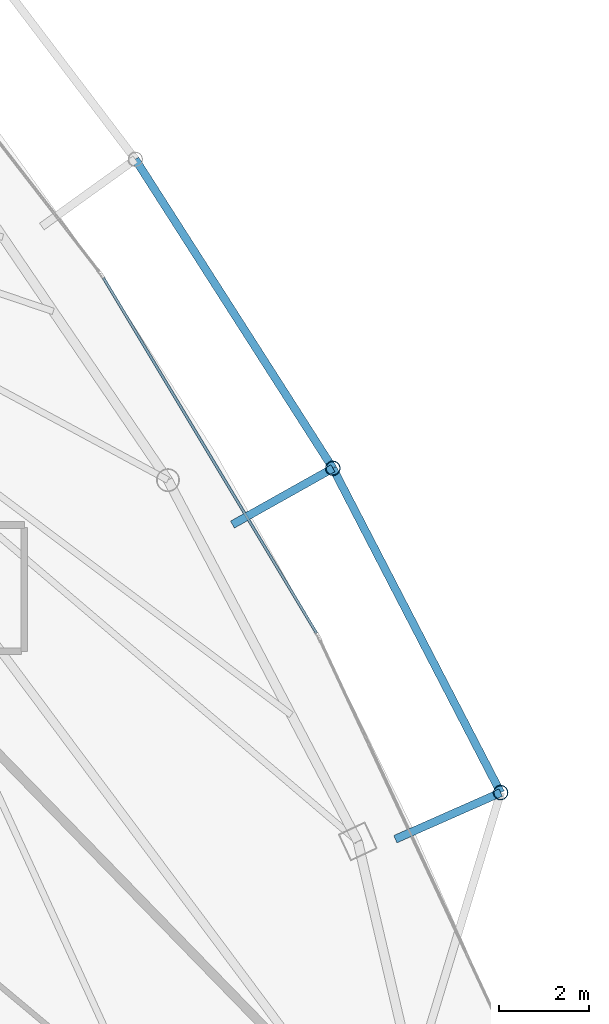
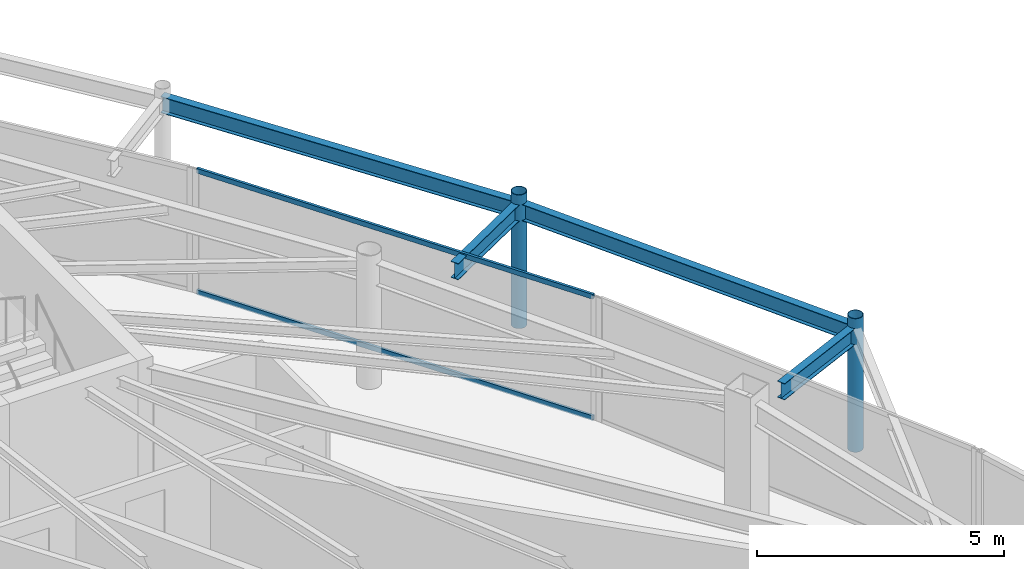
# One storey, part 18 of 30: 4 beams, 4 members, 1 element without a shape of its own.
"""IFC4 building model written with IfcOpenShell, lengths in metres."""

from ifc_helpers import new_model, si_unit, direction, frame, origin, origin_2d, place, context, subcontext, project, spatial, hollow_rectangle, hollow_circle, i_section, extrude, material, layer, layer_set, material_profile, profile_set, type_object, element, aggregate, save


model = new_model("IFC4")

# Units and contexts
model_context = context("Model", 3, precision=1e-05, world=origin(), true_north=direction((0.0, 1.0)))
body_context = subcontext(model_context, "Body", "Model", "MODEL_VIEW")
ifc_project = project(units=[si_unit("LENGTHUNIT", "METRE"), si_unit("AREAUNIT", "SQUARE_METRE"), si_unit("VOLUMEUNIT", "CUBIC_METRE"), si_unit("PLANEANGLEUNIT", "RADIAN"), si_unit("MASSUNIT", "GRAM", prefix="KILO")], contexts=[model_context])

# Site, building, storey
site_placement = place(None, origin())
site = spatial("IfcSite", under=ifc_project, at=site_placement, CompositionType="ELEMENT")
building_placement = place(site_placement, origin())
building = spatial("IfcBuilding", under=site, at=building_placement, Name="Orvanel Arch Residences", CompositionType="ELEMENT")
storey_placement = place(building_placement, frame((0.0, 0.0, 270.050048828125)))
storey = spatial("IfcBuildingStorey", under=building, at=storey_placement, Name="L77", CompositionType="ELEMENT", Elevation=270.050048828125)

# Beams
ifc_material_1 = material(Name="Structural steel AS/NZS 3679.1 Grade 300 (300 MPa)", Category="steel")
ifc_material_profile_1 = material_profile(ifc_material_1, i_section(OverallWidth=0.177978515625, OverallDepth=0.406005859375, WebThickness=0.0078125, FlangeThickness=0.0126953125, at=origin_2d()), Name="410UB59.7")
ifc_profile_set_1 = profile_set([ifc_material_profile_1], Name="Structural steel AS/NZS 3679.1 Grade 300 (300 MPa)")
beam_type = type_object("IfcBeamType", Name="OB-410UB-EXT", PredefinedType="SPANDREL", material=ifc_profile_set_1)
beam_1_placement = place(storey_placement, frame((50.465087890625, 19.69091796875, 2.85693359375), z_axis=(0.914666030378, 0.404210406685, 0.0), x_axis=(-0.404210406685, 0.914666030378, 0.0)))
element("IfcBeam", 1, at=beam_1_placement, inside=storey, type_object=beam_type, Name="L77 Outer Frame Radial Tie Beam 09", PredefinedType="SPANDREL", context=body_context, shape_type="SweptSolid", body=[
    extrude(i_section(OverallWidth=0.177978515625, OverallDepth=0.406005859375, WebThickness=0.0078125, FlangeThickness=0.0126953125, at=origin_2d()), origin(), (0.0, 0.0, 1.0), 2.55078125),
])
beam_2_placement = place(storey_placement, frame((52.798095703125, 20.721923828125, 2.85693359375), z_axis=(-0.459441810429, 0.888207871407, 0.0), x_axis=(-0.888207871407, -0.459441810429, 0.0)))
element("IfcBeam", 2, at=beam_2_placement, inside=storey, type_object=beam_type, Name="L77 Outer Perimeter Floor Ring Beam 09", PredefinedType="SPANDREL", context=body_context, shape_type="SweptSolid", body=[
    extrude(i_section(OverallWidth=0.177978515625, OverallDepth=0.406005859375, WebThickness=0.0078125, FlangeThickness=0.0126953125, at=origin_2d()), origin(), (0.0, 0.0, 1.0), 8.086181640625),
])
beam_3_placement = place(storey_placement, frame((46.85888671875, 26.656982421875, 2.85693359375), z_axis=(0.872244660193, 0.489069783124, 0.0), x_axis=(-0.489069783124, 0.872244660193, 0.0)))
element("IfcBeam", 3, at=beam_3_placement, inside=storey, type_object=beam_type, Name="L77 Outer Frame Radial Tie Beam 10", PredefinedType="SPANDREL", context=body_context, shape_type="SweptSolid", body=[
    extrude(i_section(OverallWidth=0.177978515625, OverallDepth=0.406005859375, WebThickness=0.0078125, FlangeThickness=0.0126953125, at=origin_2d()), origin(), (0.0, 0.0, 1.0), 2.5498046875),
])
beam_4_placement = place(storey_placement, frame((49.0830078125, 27.904052734375, 2.85693359375), z_axis=(-0.538767005687, 0.842454813971, 0.0), x_axis=(-0.842454813971, -0.538767005687, 0.0)))
element("IfcBeam", 4, at=beam_4_placement, inside=storey, type_object=beam_type, Name="L77 Outer Perimeter Floor Ring Beam 10", PredefinedType="SPANDREL", context=body_context, shape_type="SweptSolid", body=[
    extrude(i_section(OverallWidth=0.177978515625, OverallDepth=0.406005859375, WebThickness=0.0078125, FlangeThickness=0.0126953125, at=origin_2d()), origin(), (0.0, 0.0, 1.0), 8.120361328125),
])

# Members
ifc_material_2 = material(Name="Structural steel AS/NZS 1163 C350L0 (Grade 350)", Category="steel")
ifc_material_profile_2 = material_profile(ifc_material_2, hollow_circle(Radius=0.162109375, WallThickness=0.0126953125, at=origin_2d()), Name="CHS324x12.7")
ifc_profile_set_2 = profile_set([ifc_material_profile_2], Name="Structural steel AS/NZS 1163 C350L0 (Grade 350)")
member_type_1 = type_object("IfcMemberType", Name="ST-324CHS-EXT", PredefinedType="STRUT", material=ifc_profile_set_2)
for number, where, z_axis, x_axis, name in (
    (5, (52.798095703125, 20.721923828125, 0.0), (0.0, 0.0, 1.0), (1.0, 0.0, 0.0), "L77 Outer Perimeter Frame Post 09"),
    (6, (49.0830078125, 27.904052734375, 0.0), (0.0, 0.0, 1.0), (1.0, 0.0, 0.0), "L77 Outer Perimeter Frame Post 10"),
):
    element("IfcMember", number, at=place(storey_placement, frame(where, z_axis=z_axis, x_axis=x_axis)), inside=storey, type_object=member_type_1, Name=name, PredefinedType="STRUT", context=body_context, shape_type="SweptSolid", body=[
        extrude(hollow_circle(Radius=0.162109375, WallThickness=0.0126953125, at=origin_2d()), origin(), (0.0, 0.0, 1.0), 3.300048828125),
    ])

# Curtain wall, members
ifc_material_3 = material(Name="Bronze-anodised aluminium AA6063-T6", Category="aluminium")
ifc_layer = layer(ifc_material_3, 0.175048828125)
ifc_layer_set = layer_set([ifc_layer], Name="Bronze-anodised aluminium AA6063-T6")
curtain_wall_type = type_object("IfcCurtainWallType", Name="CW4-HI-SYS", PredefinedType="NOTDEFINED", material=ifc_layer_set)
curtain_wall_placement = place(storey_placement, origin())
curtain_wall = element("IfcCurtainWall", 7, at=curtain_wall_placement, inside=storey, type_object=curtain_wall_type, Name="L77 CW4-HI-SYS Unitised Curtain Wall", PredefinedType="NOTDEFINED")
ifc_material_profile_3 = material_profile(ifc_material_3, hollow_rectangle(XDim=0.06005859375, YDim=0.1201171875, WallThickness=0.00341796875, at=origin_2d()), Name="ALU120x60x3.5")
ifc_profile_set_3 = profile_set([ifc_material_profile_3], Name="Bronze-anodised aluminium AA6063-T6")
member_type_2 = type_object("IfcMemberType", Name="TRN-120x60", PredefinedType="USERDEFINED", material=ifc_profile_set_3)
member_1_placement = place(storey_placement, frame((48.720458984375, 24.251708984375, 0.030029296875), z_axis=(-0.514382305755, 0.85756098531, 0.0), x_axis=(-0.85756098531, -0.514382305755, 0.0)))
member_1 = element("IfcMember", 8, at=member_1_placement, type_object=member_type_2, Name="CW-S4 transom 1.1", ObjectType="TRANSOM", PredefinedType="USERDEFINED", context=body_context, shape_type="SweptSolid", body=[
    extrude(hollow_rectangle(XDim=0.06005859375, YDim=0.1201171875, WallThickness=0.00341796875, at=origin_2d()), origin(), (0.0, 0.0, 1.0), 9.177978515625),
])
member_2_placement = place(storey_placement, frame((48.720458984375, 24.251708984375, 3.030029296875), z_axis=(-0.514382305755, 0.85756098531, 0.0), x_axis=(-0.85756098531, -0.514382305755, 0.0)))
member_2 = element("IfcMember", 9, at=member_2_placement, type_object=member_type_2, Name="CW-S4 transom 1.2", ObjectType="TRANSOM", PredefinedType="USERDEFINED", context=body_context, shape_type="SweptSolid", body=[
    extrude(hollow_rectangle(XDim=0.06005859375, YDim=0.1201171875, WallThickness=0.00341796875, at=origin_2d()), origin(), (0.0, 0.0, 1.0), 9.177978515625),
])
aggregate(curtain_wall, [member_1, member_2])

save(model, "model.ifc")
